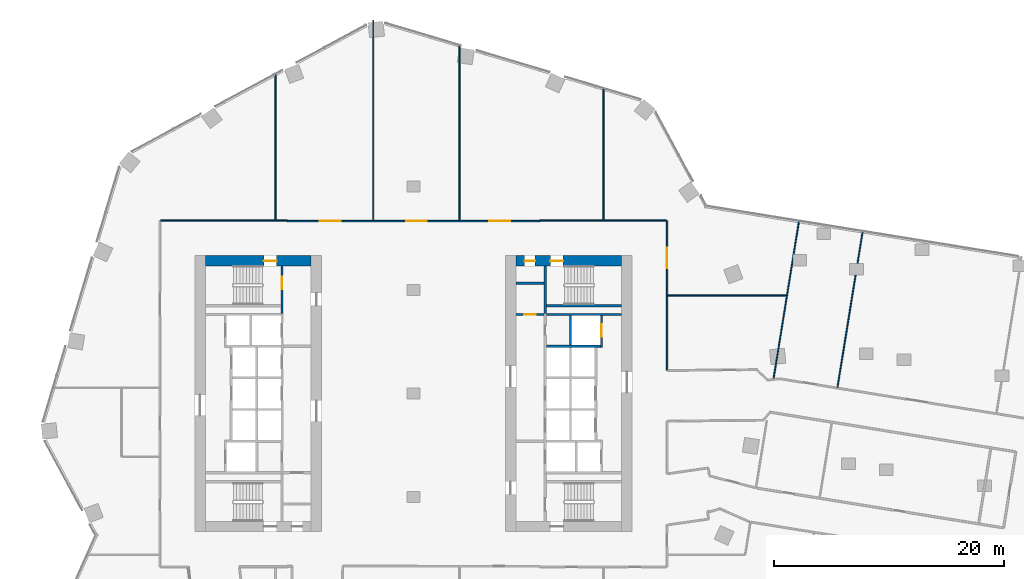
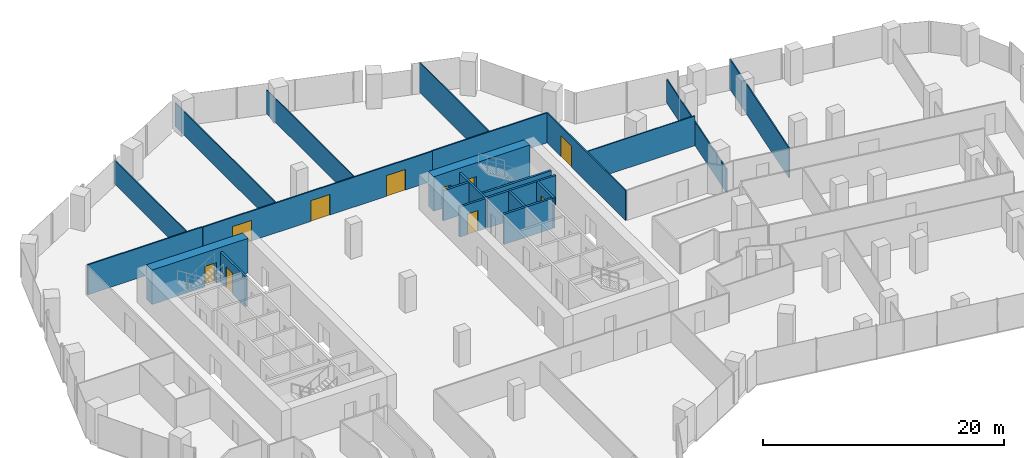
# One storey, part 29 of 34: 22 walls, 10 doors, 10 openings.
"""IFC4 building model written with IfcOpenShell, lengths in metres."""

from ifc_helpers import new_model, si_unit, direction, frame, frame_2d, origin, place, context, subcontext, project, spatial, rectangle, extrude, material, layer, layer_set, type_object, element, fill, save


model = new_model("IFC4")

# Units and contexts
model_context = context("Model", 3, precision=1e-05, world=origin(), true_north=direction((0.0, 1.0)))
body_context = subcontext(model_context, "Body", "Model", "MODEL_VIEW")
ifc_project = project(units=[si_unit("LENGTHUNIT", "METRE"), si_unit("AREAUNIT", "SQUARE_METRE"), si_unit("VOLUMEUNIT", "CUBIC_METRE"), si_unit("PLANEANGLEUNIT", "RADIAN"), si_unit("MASSUNIT", "GRAM", prefix="KILO")], contexts=[model_context])

# Site, building, storey
site_placement = place(None, origin())
site = spatial("IfcSite", under=ifc_project, at=site_placement, CompositionType="ELEMENT")
building_placement = place(site_placement, origin())
building = spatial("IfcBuilding", under=site, at=building_placement, Name="Orlundy Tower", CompositionType="ELEMENT")
storey_placement = place(building_placement, frame((0.0, 0.0, 137.699951171875)))
storey = spatial("IfcBuildingStorey", under=building, at=storey_placement, Name="L35", CompositionType="ELEMENT", Elevation=137.699951171875)

# Wall, opening, door
ifc_material_1 = material(Name="Concrete C80/95", Category="concrete")
ifc_layer_1 = layer(ifc_material_1, 0.89990234375)
ifc_layer_set_1 = layer_set([ifc_layer_1], Name="CORE WALL 900 C80/95")
wall_type_1 = type_object("IfcWallType", Name="CORE WALL 900 C80/95", PredefinedType="SHEAR", material=ifc_layer_set_1)
wall_1_placement = place(storey_placement, frame((-18.10009765625, 11.550048828125, 0.0), z_axis=(0.0, 0.0, 1.0), x_axis=(1.0, 0.0, 0.0)))
wall_1 = element("IfcWall", 1, at=wall_1_placement, inside=storey, type_object=wall_type_1, Name="Core wall W-N L35", PredefinedType="SHEAR", context=body_context, shape_type="SweptSolid", body=[
    extrude(rectangle(XDim=9.2001953125, YDim=0.89990234375, at=frame_2d((4.60009765625, 0.0))), origin(), (0.0, 0.0, 1.0), 3.5),
])
opening_1_placement = place(wall_1_placement, frame((5.10009765625, 0.0, 0.0)))
opening_1 = element("IfcOpeningElement", 2, at=opening_1_placement, cuts=wall_1, Name="Opening 26012", PredefinedType="OPENING", context=body_context, shape_type="SweptSolid", body=[
    extrude(rectangle(XDim=1.10009765625, YDim=2.10009765625, at=frame_2d((0.550048828125, 1.050048828125))), frame((0.0, 0.4599609375, 0.0), z_axis=(0.0, -1.0, 0.0), x_axis=(1.0, 0.0, 0.0)), (0.0, 0.0, 1.0), 0.919921875),
])
ifc_material_2 = material(Name="Steel door set", Category="steel")
door_type_1 = type_object("IfcDoorType", Name="Stair Door 1100x2100", OperationType="SINGLE_SWING_LEFT", PredefinedType="DOOR", material=ifc_material_2)
door_1_placement = place(opening_1_placement, origin())
door_1 = element("IfcDoor", 3, at=door_1_placement, inside=storey, type_object=door_type_1, Name="Stair door 26012", OperationType="SINGLE_SWING_RIGHT", OverallHeight=2.10009765625, OverallWidth=1.10009765625, PredefinedType="DOOR", context=body_context, shape_type="SweptSolid", body=[
    extrude(rectangle(XDim=1.10009765625, YDim=2.10009765625, at=frame_2d((0.550048828125, 1.050048828125))), frame((0.0, 0.02490234375, 0.0), z_axis=(0.0, -1.0, 0.0), x_axis=(1.0, 0.0, 0.0)), (0.0, 0.0, 1.0), 0.050048828125),
])
fill(opening_1, door_1)

# Wall, openings, doors
wall_2_placement = place(storey_placement, frame((8.89990234375, 11.550048828125, 0.0), z_axis=(0.0, 0.0, 1.0), x_axis=(1.0, 0.0, 0.0)))
wall_2 = element("IfcWall", 4, at=wall_2_placement, inside=storey, type_object=wall_type_1, Name="Core wall E-N L35", PredefinedType="SHEAR", context=body_context, shape_type="SweptSolid", body=[
    extrude(rectangle(XDim=9.2001953125, YDim=0.89990234375, at=frame_2d((4.60009765625, 0.0))), origin(), (0.0, 0.0, 1.0), 3.5),
])
opening_2_placement = place(wall_2_placement, frame((3.0, 0.0, 0.0)))
opening_2 = element("IfcOpeningElement", 5, at=opening_2_placement, cuts=wall_2, Name="Opening 26062", PredefinedType="OPENING", context=body_context, shape_type="SweptSolid", body=[
    extrude(rectangle(XDim=1.10009765625, YDim=2.10009765625, at=frame_2d((0.550048828125, 1.050048828125))), frame((0.0, 0.4599609375, 0.0), z_axis=(0.0, -1.0, 0.0), x_axis=(1.0, 0.0, 0.0)), (0.0, 0.0, 1.0), 0.919921875),
])
opening_3_placement = place(wall_2_placement, frame((0.77001953125, 0.0, 0.0)))
opening_3 = element("IfcOpeningElement", 6, at=opening_3_placement, cuts=wall_2, Name="Opening 26064", PredefinedType="OPENING", context=body_context, shape_type="SweptSolid", body=[
    extrude(rectangle(XDim=0.89990234375, YDim=2.10009765625, at=frame_2d((0.449951171875, 1.050048828125))), frame((0.0, 0.4599609375, 0.0), z_axis=(0.0, -1.0, 0.0), x_axis=(1.0, 0.0, 0.0)), (0.0, 0.0, 1.0), 0.919921875),
])
ifc_material_3 = material(Name="Timber door set", Category="wood")
door_type_2 = type_object("IfcDoorType", Name="Room Door 900x2100", OperationType="SINGLE_SWING_LEFT", PredefinedType="DOOR", material=ifc_material_3)
door_2_placement = place(opening_3_placement, origin())
door_2 = element("IfcDoor", 7, at=door_2_placement, inside=storey, type_object=door_type_2, Name="Store door 26064", OperationType="SINGLE_SWING_LEFT", OverallHeight=2.10009765625, OverallWidth=0.89990234375, PredefinedType="DOOR", context=body_context, shape_type="SweptSolid", body=[
    extrude(rectangle(XDim=0.89990234375, YDim=2.10009765625, at=frame_2d((0.449951171875, 1.050048828125))), frame((0.0, 0.02490234375, 0.0), z_axis=(0.0, -1.0, 0.0), x_axis=(1.0, 0.0, 0.0)), (0.0, 0.0, 1.0), 0.050048828125),
])
fill(opening_3, door_2)
door_3_placement = place(opening_2_placement, origin())
door_3 = element("IfcDoor", 8, at=door_3_placement, inside=storey, type_object=door_type_1, Name="Stair door 26062", OperationType="SINGLE_SWING_LEFT", OverallHeight=2.10009765625, OverallWidth=1.10009765625, PredefinedType="DOOR", context=body_context, shape_type="SweptSolid", body=[
    extrude(rectangle(XDim=1.10009765625, YDim=2.10009765625, at=frame_2d((0.550048828125, 1.050048828125))), frame((0.0, 0.02490234375, 0.0), z_axis=(0.0, -1.0, 0.0), x_axis=(1.0, 0.0, 0.0)), (0.0, 0.0, 1.0), 0.050048828125),
])
fill(opening_2, door_3)

# Walls
ifc_material_4 = material(Name="Gypsum board partition")
ifc_layer_2 = layer(ifc_material_4, 0.10009765625)
ifc_layer_set_2 = layer_set([ifc_layer_2], Name="Floor partition 100")
wall_type_2 = type_object("IfcWallType", Name="Floor partition 100", PredefinedType="PARTITIONING", material=ifc_layer_set_2)
wall_3_placement = place(storey_placement, frame((22.113037109375, 8.531005859375, 0.0), z_axis=(0.0, 0.0, 1.0), x_axis=(1.0, 0.0, 0.0)))
element("IfcWall", 9, at=wall_3_placement, inside=storey, type_object=wall_type_2, Name="wall-int-L35-039", PredefinedType="PARTITIONING", context=body_context, shape_type="SweptSolid", body=[
    extrude(rectangle(XDim=10.303955078125, YDim=0.10009765625, at=frame_2d((5.15185546875, 0.0))), origin(), (0.0, 0.0, 1.0), 3.030029296875),
])
wall_4_placement = place(storey_placement, frame((36.85791015625, 0.549072265625, 0.0), z_axis=(0.0, 0.0, 1.0), x_axis=(0.159375015721, 0.987218113876, 0.0)))
element("IfcWall", 10, at=wall_4_placement, inside=storey, type_object=wall_type_2, Name="wall-int-L35-069", PredefinedType="PARTITIONING", context=body_context, shape_type="SweptSolid", body=[
    extrude(rectangle(XDim=13.835693359375, YDim=0.10009765625, at=frame_2d((6.91796875, 0.0))), origin(), (0.0, 0.0, 1.0), 3.030029296875),
])
wall_5_placement = place(storey_placement, frame((16.52099609375, 15.114013671875, 0.0), z_axis=(0.0, 0.0, 1.0), x_axis=(0.0, 1.0, 0.0)))
element("IfcWall", 11, at=wall_5_placement, inside=storey, type_object=wall_type_2, Name="wall-int-L35-080", PredefinedType="PARTITIONING", context=body_context, shape_type="SweptSolid", body=[
    extrude(rectangle(XDim=11.51708984375, YDim=0.10009765625, at=frame_2d((5.758544921875, 0.0))), origin(), (0.0, 0.0, 1.0), 3.030029296875),
])
ifc_material_5 = material(Name="Gypsum board partition")
ifc_layer_3 = layer(ifc_material_5, 0.10009765625)
ifc_layer_set_3 = layer_set([ifc_layer_3], Name="Floor partition 100 B")
wall_type_3 = type_object("IfcWallType", Name="Floor partition 100 B", PredefinedType="PARTITIONING", material=ifc_layer_set_3)
wall_6_placement = place(storey_placement, frame((31.302001953125, 1.31396484375, 0.0), z_axis=(0.0, 0.0, 1.0), x_axis=(0.159396223654, 0.987214689865, 0.0)))
element("IfcWall", 12, at=wall_6_placement, inside=storey, type_object=wall_type_3, Name="wall-int-L35-072", PredefinedType="PARTITIONING", context=body_context, shape_type="SweptSolid", body=[
    extrude(rectangle(XDim=13.965576171875, YDim=0.10009765625, at=frame_2d((6.98291015625, 0.0))), origin(), (0.0, 0.0, 1.0), 2.39501953125),
])
wall_7_placement = place(storey_placement, frame((4.0, 15.06298828125, 0.0), z_axis=(0.0, 0.0, 1.0), x_axis=(0.0, 1.0, 0.0)))
element("IfcWall", 13, at=wall_7_placement, inside=storey, type_object=wall_type_3, Name="wall-int-L35-082", PredefinedType="PARTITIONING", context=body_context, shape_type="SweptSolid", body=[
    extrude(rectangle(XDim=15.31591796875, YDim=0.10009765625, at=frame_2d((7.657958984375, 0.0))), origin(), (0.0, 0.0, 1.0), 2.39501953125),
])
wall_8_placement = place(storey_placement, frame((-3.4951171875, 15.06298828125, 0.0), z_axis=(0.0, 0.0, 1.0), x_axis=(0.0, 1.0, 0.0)))
element("IfcWall", 14, at=wall_8_placement, inside=storey, type_object=wall_type_3, Name="wall-int-L35-083", PredefinedType="PARTITIONING", context=body_context, shape_type="SweptSolid", body=[
    extrude(rectangle(XDim=17.419921875, YDim=0.10009765625, at=frame_2d((8.7099609375, 0.0))), origin(), (0.0, 0.0, 1.0), 2.39501953125),
])
wall_9_placement = place(storey_placement, frame((-12.0, 15.114013671875, 0.0), z_axis=(0.0, 0.0, 1.0), x_axis=(0.0, 1.0, 0.0)))
element("IfcWall", 15, at=wall_9_placement, inside=storey, type_object=wall_type_3, Name="wall-int-L35-085", PredefinedType="PARTITIONING", context=body_context, shape_type="SweptSolid", body=[
    extrude(rectangle(XDim=12.782958984375, YDim=0.10009765625, at=frame_2d((6.3916015625, 0.0))), origin(), (0.0, 0.0, 1.0), 2.39501953125),
])

# Wall, openings, doors
ifc_material_6 = material(Name="Gypsum board partition, double layer")
ifc_layer_4 = layer(ifc_material_6, 0.125)
ifc_layer_set_4 = layer_set([ifc_layer_4], Name="Floor partition 125")
wall_type_4 = type_object("IfcWallType", Name="Floor partition 125", PredefinedType="PARTITIONING", material=ifc_layer_set_4)
wall_10_placement = place(storey_placement, frame((-10.989990234375, 15.0009765625, 0.0), z_axis=(0.0, 0.0, 1.0), x_axis=(1.0, 0.0, 0.0)))
wall_10 = element("IfcWall", 16, at=wall_10_placement, inside=storey, type_object=wall_type_4, Name="wall-int-L35-040", PredefinedType="PARTITIONING", context=body_context, shape_type="SweptSolid", body=[
    extrude(rectangle(XDim=21.97998046875, YDim=0.125, at=frame_2d((10.989990234375, 0.0))), origin(), (0.0, 0.0, 1.0), 3.030029296875),
])
opening_4_placement = place(wall_10_placement, frame((17.590087890625, 0.0, 0.0)))
opening_4 = element("IfcOpeningElement", 17, at=opening_4_placement, cuts=wall_10, Name="Opening 26130", PredefinedType="OPENING", context=body_context, shape_type="SweptSolid", body=[
    extrude(rectangle(XDim=1.800048828125, YDim=2.10009765625, at=frame_2d((0.89990234375, 1.050048828125))), frame((0.0, 0.072509765625, 0.0), z_axis=(0.0, -1.0, 0.0), x_axis=(1.0, 0.0, 0.0)), (0.0, 0.0, 1.0), 0.14501953125),
])
opening_5_placement = place(wall_10_placement, frame((10.344970703125, 0.0, 0.0)))
opening_5 = element("IfcOpeningElement", 18, at=opening_5_placement, cuts=wall_10, Name="Opening 26131", PredefinedType="OPENING", context=body_context, shape_type="SweptSolid", body=[
    extrude(rectangle(XDim=1.800048828125, YDim=2.10009765625, at=frame_2d((0.89990234375, 1.050048828125))), frame((0.0, 0.072509765625, 0.0), z_axis=(0.0, -1.0, 0.0), x_axis=(1.0, 0.0, 0.0)), (0.0, 0.0, 1.0), 0.14501953125),
])
opening_6_placement = place(wall_10_placement, frame((2.85009765625, 0.0, 0.0)))
opening_6 = element("IfcOpeningElement", 19, at=opening_6_placement, cuts=wall_10, Name="Opening 26132", PredefinedType="OPENING", context=body_context, shape_type="SweptSolid", body=[
    extrude(rectangle(XDim=1.800048828125, YDim=2.10009765625, at=frame_2d((0.89990234375, 1.050048828125))), frame((0.0, 0.072509765625, 0.0), z_axis=(0.0, -1.0, 0.0), x_axis=(1.0, 0.0, 0.0)), (0.0, 0.0, 1.0), 0.14501953125),
])
ifc_material_7 = material(Name="Timber door leaf", Category="wood")
door_type_3 = type_object("IfcDoorType", Name="Floor door double 1800 FD30S", OperationType="NOTDEFINED", PredefinedType="DOOR", material=ifc_material_7)
door_4_placement = place(opening_4_placement, origin())
door_4 = element("IfcDoor", 20, at=door_4_placement, inside=storey, type_object=door_type_3, Name="Door 26130", OperationType="DOUBLE_DOOR_SINGLE_SWING", OverallHeight=2.10009765625, OverallWidth=1.800048828125, PredefinedType="DOOR", context=body_context, shape_type="SweptSolid", body=[
    extrude(rectangle(XDim=1.800048828125, YDim=2.10009765625, at=frame_2d((0.89990234375, 1.050048828125))), frame((0.0, 0.02490234375, 0.0), z_axis=(0.0, -1.0, 0.0), x_axis=(1.0, 0.0, 0.0)), (0.0, 0.0, 1.0), 0.050048828125),
])
fill(opening_4, door_4)
door_5_placement = place(opening_5_placement, origin())
door_5 = element("IfcDoor", 21, at=door_5_placement, inside=storey, type_object=door_type_3, Name="Door 26131", OperationType="DOUBLE_DOOR_SINGLE_SWING", OverallHeight=2.10009765625, OverallWidth=1.800048828125, PredefinedType="DOOR", context=body_context, shape_type="SweptSolid", body=[
    extrude(rectangle(XDim=1.800048828125, YDim=2.10009765625, at=frame_2d((0.89990234375, 1.050048828125))), frame((0.0, 0.02490234375, 0.0), z_axis=(0.0, -1.0, 0.0), x_axis=(1.0, 0.0, 0.0)), (0.0, 0.0, 1.0), 0.050048828125),
])
fill(opening_5, door_5)
door_6_placement = place(opening_6_placement, origin())
door_6 = element("IfcDoor", 22, at=door_6_placement, inside=storey, type_object=door_type_3, Name="Door 26132", OperationType="DOUBLE_DOOR_SINGLE_SWING", OverallHeight=2.10009765625, OverallWidth=1.800048828125, PredefinedType="DOOR", context=body_context, shape_type="SweptSolid", body=[
    extrude(rectangle(XDim=1.800048828125, YDim=2.10009765625, at=frame_2d((0.89990234375, 1.050048828125))), frame((0.0, 0.02490234375, 0.0), z_axis=(0.0, -1.0, 0.0), x_axis=(1.0, 0.0, 0.0)), (0.0, 0.0, 1.0), 0.050048828125),
])
fill(opening_6, door_6)

# Walls
for number, where, z_axis, x_axis, name in (
    (23, (-21.988037109375, 15.051025390625, 0.0), (0.0, 0.0, 1.0), (1.0, 0.0, 0.0), "wall-int-L35-041"),
    (24, (10.990966796875, 15.051025390625, 0.0), (0.0, 0.0, 1.0), (1.0, 0.0, 0.0), "wall-int-L35-042"),
):
    element("IfcWall", number, at=place(storey_placement, frame(where, z_axis=z_axis, x_axis=x_axis)), inside=storey, type_object=wall_type_4, Name=name, PredefinedType="PARTITIONING", context=body_context, shape_type="SweptSolid", body=[
        extrude(rectangle(XDim=10.9970703125, YDim=0.125, at=frame_2d((5.49853515625, 0.0))), origin(), (0.0, 0.0, 1.0), 3.030029296875),
    ])

# Wall, opening, door
wall_11_placement = place(storey_placement, frame((22.051025390625, 15.050048828125, 0.0), z_axis=(0.0, 0.0, 1.0), x_axis=(0.0, -1.0, 0.0)))
wall_11 = element("IfcWall", 25, at=wall_11_placement, inside=storey, type_object=wall_type_4, Name="wall-int-L35-078", PredefinedType="PARTITIONING", context=body_context, shape_type="SweptSolid", body=[
    extrude(rectangle(XDim=13.0361328125, YDim=0.125, at=frame_2d((6.51806640625, 0.0))), origin(), (0.0, 0.0, 1.0), 3.030029296875),
])
opening_7_placement = place(wall_11_placement, frame((2.35009765625, 0.0, 0.0)))
opening_7 = element("IfcOpeningElement", 26, at=opening_7_placement, cuts=wall_11, Name="Opening 26129", PredefinedType="OPENING", context=body_context, shape_type="SweptSolid", body=[
    extrude(rectangle(XDim=1.800048828125, YDim=2.10009765625, at=frame_2d((0.89990234375, 1.050048828125))), frame((0.0, 0.072509765625, 0.0), z_axis=(0.0, -1.0, 0.0), x_axis=(1.0, 0.0, 0.0)), (0.0, 0.0, 1.0), 0.14501953125),
])
door_7_placement = place(opening_7_placement, origin())
door_7 = element("IfcDoor", 27, at=door_7_placement, inside=storey, type_object=door_type_3, Name="Door 26129", OperationType="DOUBLE_DOOR_SINGLE_SWING", OverallHeight=2.10009765625, OverallWidth=1.800048828125, PredefinedType="DOOR", context=body_context, shape_type="SweptSolid", body=[
    extrude(rectangle(XDim=1.800048828125, YDim=2.10009765625, at=frame_2d((0.89990234375, 1.050048828125))), frame((0.0, 0.02490234375, 0.0), z_axis=(0.0, -1.0, 0.0), x_axis=(1.0, 0.0, 0.0)), (0.0, 0.0, 1.0), 0.050048828125),
])
fill(opening_7, door_7)

ifc_material_8 = material(Name="Concrete C40/50", Category="concrete")
ifc_layer_5 = layer(ifc_material_8, 0.199951171875)
ifc_layer_set_5 = layer_set([ifc_layer_5], Name="Load-bearing Shaft Wall 200")
wall_type_5 = type_object("IfcWallType", Name="Load-bearing Shaft Wall 200", PredefinedType="SOLIDWALL", material=ifc_layer_set_5)
wall_12_placement = place(storey_placement, frame((-11.43994140625, 6.97509765625, 0.0), z_axis=(0.0, 0.0, 1.0), x_axis=(0.0, 1.0, 0.0)))
wall_12 = element("IfcWall", 28, at=wall_12_placement, inside=storey, type_object=wall_type_5, Name="Shaft wall W26-stair-end-n", PredefinedType="SOLIDWALL", context=body_context, shape_type="SweptSolid", body=[
    extrude(rectangle(XDim=4.125, YDim=0.199951171875, at=frame_2d((2.0625, 0.0))), origin(), (0.0, 0.0, 1.0), 3.050048828125),
])
opening_8_placement = place(wall_12_placement, frame((2.10009765625, 0.0, 0.0)))
opening_8 = element("IfcOpeningElement", 29, at=opening_8_placement, cuts=wall_12, Name="Opening 26014", PredefinedType="OPENING", context=body_context, shape_type="SweptSolid", body=[
    extrude(rectangle(XDim=1.10009765625, YDim=2.10009765625, at=frame_2d((0.550048828125, 1.050048828125))), frame((0.0, 0.110107421875, 0.0), z_axis=(0.0, -1.0, 0.0), x_axis=(1.0, 0.0, 0.0)), (0.0, 0.0, 1.0), 0.22021484375),
])
ifc_material_9 = material(Name="Steel door set", Category="steel")
door_type_4 = type_object("IfcDoorType", Name="Fire-fighting Lobby Door 1100x2100", OperationType="SINGLE_SWING_LEFT", PredefinedType="DOOR", material=ifc_material_9)
door_8_placement = place(opening_8_placement, origin())
door_8 = element("IfcDoor", 30, at=door_8_placement, inside=storey, type_object=door_type_4, Name="Fire-fighting lobby to stair door 26014", OperationType="SINGLE_SWING_RIGHT", OverallHeight=2.10009765625, OverallWidth=1.10009765625, PredefinedType="DOOR", context=body_context, shape_type="SweptSolid", body=[
    extrude(rectangle(XDim=1.10009765625, YDim=2.10009765625, at=frame_2d((0.550048828125, 1.050048828125))), frame((0.0, 0.02490234375, 0.0), z_axis=(0.0, -1.0, 0.0), x_axis=(1.0, 0.0, 0.0)), (0.0, 0.0, 1.0), 0.050048828125),
])
fill(opening_8, door_8)

# Walls
wall_13_placement = place(storey_placement, frame((11.43994140625, 11.10009765625, 0.0), z_axis=(0.0, 0.0, 1.0), x_axis=(0.0, -1.0, 0.0)))
element("IfcWall", 31, at=wall_13_placement, inside=storey, type_object=wall_type_5, Name="Shaft wall E26-stair-end-s", PredefinedType="SOLIDWALL", context=body_context, shape_type="SweptSolid", body=[
    extrude(rectangle(XDim=4.125, YDim=0.199951171875, at=frame_2d((2.0625, 0.0))), origin(), (0.0, 0.0, 1.0), 3.050048828125),
])
wall_14_placement = place(storey_placement, frame((11.5400390625, 7.64990234375, 0.0), z_axis=(0.0, 0.0, 1.0), x_axis=(1.0, 0.0, 0.0)))
element("IfcWall", 32, at=wall_14_placement, inside=storey, type_object=wall_type_5, Name="Shaft wall E26-stair-side-s", PredefinedType="SOLIDWALL", context=body_context, shape_type="SweptSolid", body=[
    extrude(rectangle(XDim=6.56005859375, YDim=0.199951171875, at=frame_2d((3.280029296875, 0.0))), origin(), (0.0, 0.0, 1.0), 3.050048828125),
])

# Wall, opening, door
ifc_material_10 = material(Name="Gypsum board partition on steel studs", Category="steel")
ifc_layer_6 = layer(ifc_material_10, 0.199951171875)
ifc_layer_set_6 = layer_set([ifc_layer_6], Name="Partition 200")
wall_type_6 = type_object("IfcWallType", Name="Partition 200", PredefinedType="PARTITIONING", material=ifc_layer_set_6)
wall_15_placement = place(storey_placement, frame((8.89990234375, 6.875, 0.0), z_axis=(0.0, 0.0, 1.0), x_axis=(1.0, 0.0, 0.0)))
wall_15 = element("IfcWall", 33, at=wall_15_placement, inside=storey, type_object=wall_type_6, Name="Partition wall E26-end-s", PredefinedType="PARTITIONING", context=body_context, shape_type="SweptSolid", body=[
    extrude(rectangle(XDim=2.440185546875, YDim=0.199951171875, at=frame_2d((1.22021484375, 0.0))), origin(), (0.0, 0.0, 1.0), 3.050048828125),
])
opening_9_placement = place(wall_15_placement, frame((0.719970703125, 0.0, 0.0)))
opening_9 = element("IfcOpeningElement", 34, at=opening_9_placement, cuts=wall_15, Name="Opening 26065", PredefinedType="OPENING", context=body_context, shape_type="SweptSolid", body=[
    extrude(rectangle(XDim=1.0, YDim=2.10009765625, at=frame_2d((0.5, 1.050048828125))), frame((0.0, 0.110107421875, 0.0), z_axis=(0.0, -1.0, 0.0), x_axis=(1.0, 0.0, 0.0)), (0.0, 0.0, 1.0), 0.22021484375),
])
ifc_material_11 = material(Name="Timber door set", Category="wood")
door_type_5 = type_object("IfcDoorType", Name="Accessible Door 1000x2100", OperationType="SINGLE_SWING_LEFT", PredefinedType="DOOR", material=ifc_material_11)
door_9_placement = place(opening_9_placement, origin())
door_9 = element("IfcDoor", 35, at=door_9_placement, inside=storey, type_object=door_type_5, Name="Accessible WC door 26065", OperationType="SINGLE_SWING_RIGHT", OverallHeight=2.10009765625, OverallWidth=1.0, PredefinedType="DOOR", context=body_context, shape_type="SweptSolid", body=[
    extrude(rectangle(XDim=1.0, YDim=2.10009765625, at=frame_2d((0.5, 1.050048828125))), frame((0.0, 0.02490234375, 0.0), z_axis=(0.0, -1.0, 0.0), x_axis=(1.0, 0.0, 0.0)), (0.0, 0.0, 1.0), 0.050048828125),
])
fill(opening_9, door_9)

# Walls
wall_16_placement = place(storey_placement, frame((8.89990234375, 9.60009765625, 0.0), z_axis=(0.0, 0.0, 1.0), x_axis=(1.0, 0.0, 0.0)))
element("IfcWall", 36, at=wall_16_placement, inside=storey, type_object=wall_type_6, Name="Partition wall E26-room-s0", PredefinedType="PARTITIONING", context=body_context, shape_type="SweptSolid", body=[
    extrude(rectangle(XDim=2.440185546875, YDim=0.199951171875, at=frame_2d((1.22021484375, 0.0))), origin(), (0.0, 0.0, 1.0), 3.050048828125),
])
ifc_material_12 = material(Name="Fire-rated blockwork shaft wall", Category="masonry")
ifc_layer_7 = layer(ifc_material_12, 0.199951171875)
ifc_layer_set_7 = layer_set([ifc_layer_7], Name="Shaft Wall 200")
wall_type_7 = type_object("IfcWallType", Name="Shaft Wall 200", PredefinedType="SOLIDWALL", material=ifc_layer_set_7)
wall_17_placement = place(storey_placement, frame((11.5400390625, 6.875, 0.0), z_axis=(0.0, 0.0, 1.0), x_axis=(1.0, 0.0, 0.0)))
element("IfcWall", 37, at=wall_17_placement, inside=storey, type_object=wall_type_7, Name="Shaft wall E26-zone-s", PredefinedType="SOLIDWALL", context=body_context, shape_type="SweptSolid", body=[
    extrude(rectangle(XDim=6.56005859375, YDim=0.199951171875, at=frame_2d((3.280029296875, 0.0))), origin(), (0.0, 0.0, 1.0), 3.050048828125),
])
wall_18_placement = place(storey_placement, frame((11.5400390625, 4.125, 0.0), z_axis=(0.0, 0.0, 1.0), x_axis=(1.0, 0.0, 0.0)))
element("IfcWall", 38, at=wall_18_placement, inside=storey, type_object=wall_type_7, Name="Shaft wall E26-cross-4.125", PredefinedType="SOLIDWALL", context=body_context, shape_type="SweptSolid", body=[
    extrude(rectangle(XDim=4.699951171875, YDim=0.199951171875, at=frame_2d((2.35009765625, 0.0))), origin(), (0.0, 0.0, 1.0), 3.050048828125),
])
wall_19_placement = place(storey_placement, frame((13.639892578125, 6.77490234375, 0.0), z_axis=(0.0, 0.0, 1.0), x_axis=(0.0, -1.0, 0.0)))
element("IfcWall", 39, at=wall_19_placement, inside=storey, type_object=wall_type_7, Name="Shaft wall E26-mid-a", PredefinedType="SOLIDWALL", context=body_context, shape_type="SweptSolid", body=[
    extrude(rectangle(XDim=2.5498046875, YDim=0.199951171875, at=frame_2d((1.27490234375, 0.0))), origin(), (0.0, 0.0, 1.0), 3.050048828125),
])

# Wall, opening, door
wall_20_placement = place(storey_placement, frame((16.340087890625, 6.77490234375, 0.0), z_axis=(0.0, 0.0, 1.0), x_axis=(0.0, -1.0, 0.0)))
wall_20 = element("IfcWall", 40, at=wall_20_placement, inside=storey, type_object=wall_type_7, Name="Shaft wall E26-front-o-a", PredefinedType="SOLIDWALL", context=body_context, shape_type="SweptSolid", body=[
    extrude(rectangle(XDim=2.75, YDim=0.199951171875, at=frame_2d((1.375, 0.0))), origin(), (0.0, 0.0, 1.0), 3.050048828125),
])
opening_10_placement = place(wall_20_placement, frame((0.72509765625, 0.0, 0.0)))
opening_10 = element("IfcOpeningElement", 41, at=opening_10_placement, cuts=wall_20, Name="Opening 26050", PredefinedType="OPENING", context=body_context, shape_type="SweptSolid", body=[
    extrude(rectangle(XDim=1.10009765625, YDim=2.10009765625, at=frame_2d((0.550048828125, 1.050048828125))), frame((0.0, 0.110107421875, 0.0), z_axis=(0.0, -1.0, 0.0), x_axis=(1.0, 0.0, 0.0)), (0.0, 0.0, 1.0), 0.22021484375),
])
ifc_material_13 = material(Name="Steel door set", Category="steel")
door_type_6 = type_object("IfcDoorType", Name="Landing Door 1100x2100", OperationType="DOUBLE_DOOR_SLIDING", PredefinedType="DOOR", material=ifc_material_13)
door_10_placement = place(opening_10_placement, origin())
door_10 = element("IfcDoor", 42, at=door_10_placement, inside=storey, type_object=door_type_6, Name="Lift landing door LV-02 26050", OperationType="DOUBLE_DOOR_SLIDING", OverallHeight=2.10009765625, OverallWidth=1.10009765625, PredefinedType="DOOR", context=body_context, shape_type="SweptSolid", body=[
    extrude(rectangle(XDim=1.10009765625, YDim=2.10009765625, at=frame_2d((0.550048828125, 1.050048828125))), frame((0.0, 0.02490234375, 0.0), z_axis=(0.0, -1.0, 0.0), x_axis=(1.0, 0.0, 0.0)), (0.0, 0.0, 1.0), 0.050048828125),
])
fill(opening_10, door_10)

save(model, "model.ifc")
